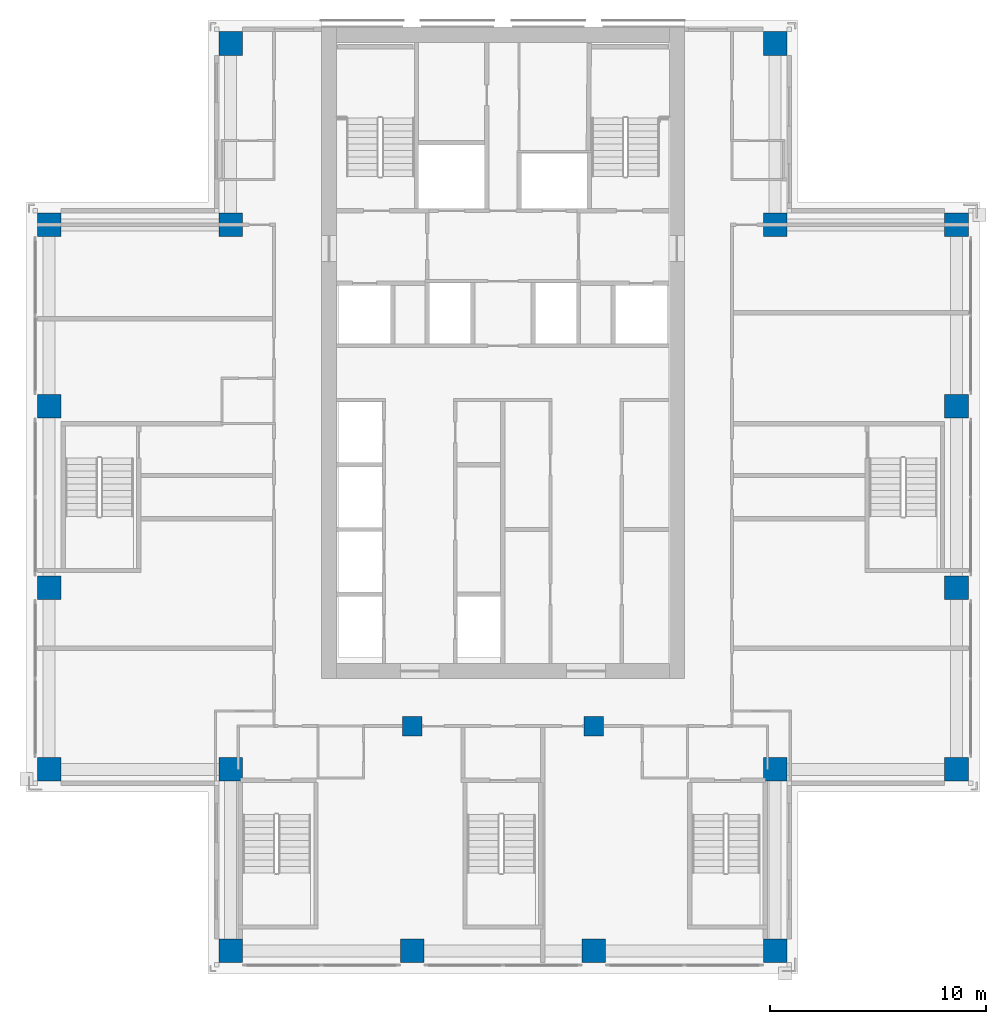
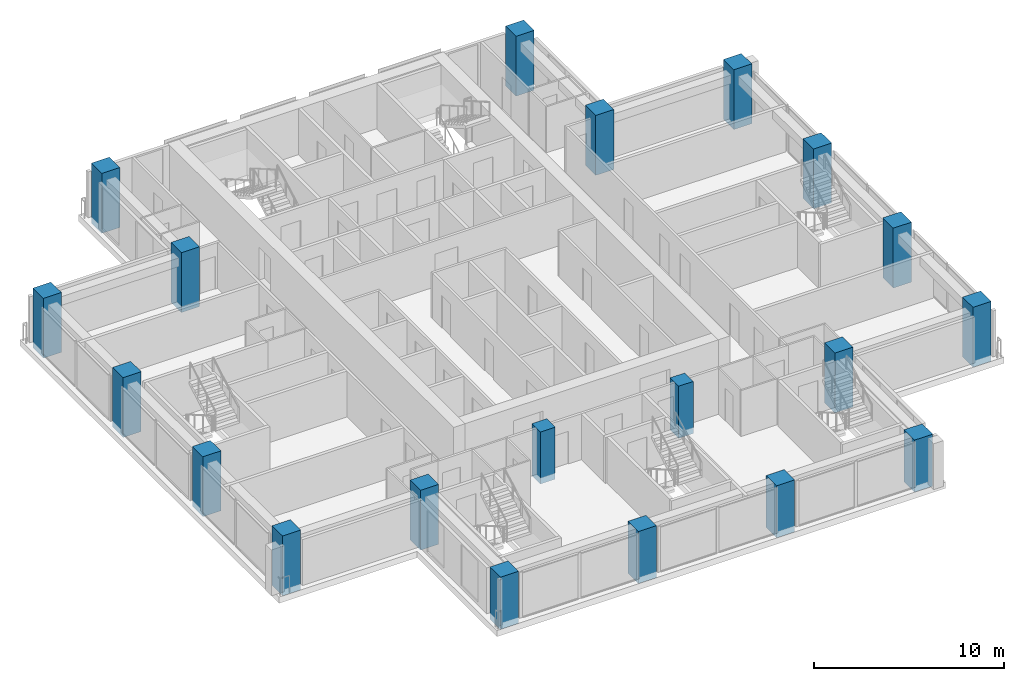
# One storey, part 1 of 16: 20 columns.
"""IFC4 building model written with IfcOpenShell, lengths in metres."""

from ifc_helpers import new_model, si_unit, direction, frame, origin, origin_2d, place, context, subcontext, project, spatial, rectangle, extrude, material, material_profile, profile_set, type_object, element, save


model = new_model("IFC4")

# Units and contexts
model_context = context("Model", 3, precision=1e-05, world=origin(), true_north=direction((0.0, 1.0)))
body_context = subcontext(model_context, "Body", "Model", "MODEL_VIEW")
ifc_project = project(units=[si_unit("LENGTHUNIT", "METRE"), si_unit("AREAUNIT", "SQUARE_METRE"), si_unit("VOLUMEUNIT", "CUBIC_METRE"), si_unit("PLANEANGLEUNIT", "RADIAN"), si_unit("MASSUNIT", "GRAM", prefix="KILO")], contexts=[model_context])

# Site, building, storey
site_placement = place(None, origin())
site = spatial("IfcSite", under=ifc_project, at=site_placement, CompositionType="ELEMENT")
building_placement = place(site_placement, origin())
building = spatial("IfcBuilding", under=site, at=building_placement, Name="Vermilion Ogive Tower", CompositionType="ELEMENT")
storey_placement = place(building_placement, frame((0.0, 0.0, 167.60009765625)))
storey = spatial("IfcBuildingStorey", under=building, at=storey_placement, Name="L43", CompositionType="ELEMENT", Elevation=167.60009765625)

# Columns
ifc_material_1 = material(Name="Concrete B60", Category="concrete")
ifc_material_profile_1 = material_profile(ifc_material_1, rectangle(XDim=1.10009765625, YDim=1.10009765625, at=origin_2d()), Name="1100 x 1100")
ifc_profile_set_1 = profile_set([ifc_material_profile_1], Name="Concrete B60")
column_type_1 = type_object("IfcColumnType", Name="Perimeter column 1100 x 1100 B60", PredefinedType="COLUMN", material=ifc_profile_set_1)
for number, where, z_axis, x_axis, name in (
    (1, (-12.60009765625, -21.0, -0.400146484375), (0.0, 0.0, 1.0), (1.0, 0.0, 0.0), "COL-L43-P-0126-210"),
    (2, (-4.199951171875, -21.0, -0.400146484375), (0.0, 0.0, 1.0), (1.0, 0.0, 0.0), "COL-L43-P-0042-210"),
    (3, (4.199951171875, -21.0, -0.400146484375), (0.0, 0.0, 1.0), (1.0, 0.0, 0.0), "COL-L43-P+0042-210"),
    (4, (12.60009765625, -21.0, -0.400146484375), (0.0, 0.0, 1.0), (1.0, 0.0, 0.0), "COL-L43-P+0126-210"),
):
    element("IfcColumn", number, at=place(storey_placement, frame(where, z_axis=z_axis, x_axis=x_axis)), inside=storey, type_object=column_type_1, Name=name, PredefinedType="COLUMN", context=body_context, shape_type="SweptSolid", body=[
        extrude(rectangle(XDim=1.10009765625, YDim=1.10009765625, at=origin_2d()), origin(), (0.0, 0.0, 1.0), 3.35009765625),
    ])
for number, where, z_axis, x_axis, name in (
    (5, (-21.0, -12.60009765625, -0.400146484375), (0.0, 0.0, 1.0), (1.0, 0.0, 0.0), "COL-L43-P-0210-126"),
    (6, (-12.60009765625, -12.60009765625, -0.400146484375), (0.0, 0.0, 1.0), (1.0, 0.0, 0.0), "COL-L43-P-0126-126"),
    (7, (12.60009765625, -12.60009765625, -0.400146484375), (0.0, 0.0, 1.0), (1.0, 0.0, 0.0), "COL-L43-P+0126-126"),
    (8, (21.0, -12.60009765625, -0.400146484375), (0.0, 0.0, 1.0), (1.0, 0.0, 0.0), "COL-L43-P+0210-126"),
    (9, (-21.0, -4.199951171875, -0.400146484375), (0.0, 0.0, 1.0), (1.0, 0.0, 0.0), "COL-L43-P-0210-042"),
    (10, (21.0, -4.199951171875, -0.400146484375), (0.0, 0.0, 1.0), (1.0, 0.0, 0.0), "COL-L43-P+0210-042"),
    (11, (-21.0, 4.199951171875, -0.400146484375), (0.0, 0.0, 1.0), (1.0, 0.0, 0.0), "COL-L43-P-0210+042"),
    (12, (21.0, 4.199951171875, -0.400146484375), (0.0, 0.0, 1.0), (1.0, 0.0, 0.0), "COL-L43-P+0210+042"),
    (13, (-21.0, 12.60009765625, -0.400146484375), (0.0, 0.0, 1.0), (1.0, 0.0, 0.0), "COL-L43-P-0210+126"),
    (14, (-12.60009765625, 12.60009765625, -0.400146484375), (0.0, 0.0, 1.0), (1.0, 0.0, 0.0), "COL-L43-P-0126+126"),
    (15, (12.60009765625, 12.60009765625, -0.400146484375), (0.0, 0.0, 1.0), (1.0, 0.0, 0.0), "COL-L43-P+0126+126"),
    (16, (21.0, 12.60009765625, -0.400146484375), (0.0, 0.0, 1.0), (1.0, 0.0, 0.0), "COL-L43-P+0210+126"),
    (17, (-12.60009765625, 21.0, -0.400146484375), (0.0, 0.0, 1.0), (1.0, 0.0, 0.0), "COL-L43-P-0126+210"),
    (18, (12.60009765625, 21.0, -0.400146484375), (0.0, 0.0, 1.0), (1.0, 0.0, 0.0), "COL-L43-P+0126+210"),
):
    element("IfcColumn", number, at=place(storey_placement, frame(where, z_axis=z_axis, x_axis=x_axis)), inside=storey, type_object=column_type_1, Name=name, PredefinedType="COLUMN", context=body_context, shape_type="SweptSolid", body=[
        extrude(rectangle(XDim=1.10009765625, YDim=1.10009765625, at=origin_2d()), origin(), (0.0, 0.0, 1.0), 3.85009765625),
    ])
ifc_material_2 = material(Name="Concrete B60", Category="concrete")
ifc_material_profile_2 = material_profile(ifc_material_2, rectangle(XDim=0.89990234375, YDim=0.89990234375, at=origin_2d()), Name="900 x 900")
ifc_profile_set_2 = profile_set([ifc_material_profile_2], Name="Concrete B60")
column_type_2 = type_object("IfcColumnType", Name="Ring column 900 x 900 B60", PredefinedType="COLUMN", material=ifc_profile_set_2)
for number, where, z_axis, x_axis, name in (
    (19, (-4.199951171875, -10.60009765625, -0.400146484375), (0.0, 0.0, 1.0), (1.0, 0.0, 0.0), "COL-L43-R-0042-106"),
    (20, (4.199951171875, -10.60009765625, -0.400146484375), (0.0, 0.0, 1.0), (1.0, 0.0, 0.0), "COL-L43-R+0042-106"),
):
    element("IfcColumn", number, at=place(storey_placement, frame(where, z_axis=z_axis, x_axis=x_axis)), inside=storey, type_object=column_type_2, Name=name, PredefinedType="COLUMN", context=body_context, shape_type="SweptSolid", body=[
        extrude(rectangle(XDim=0.89990234375, YDim=0.89990234375, at=origin_2d()), origin(), (0.0, 0.0, 1.0), 3.35009765625),
    ])

save(model, "model.ifc")
